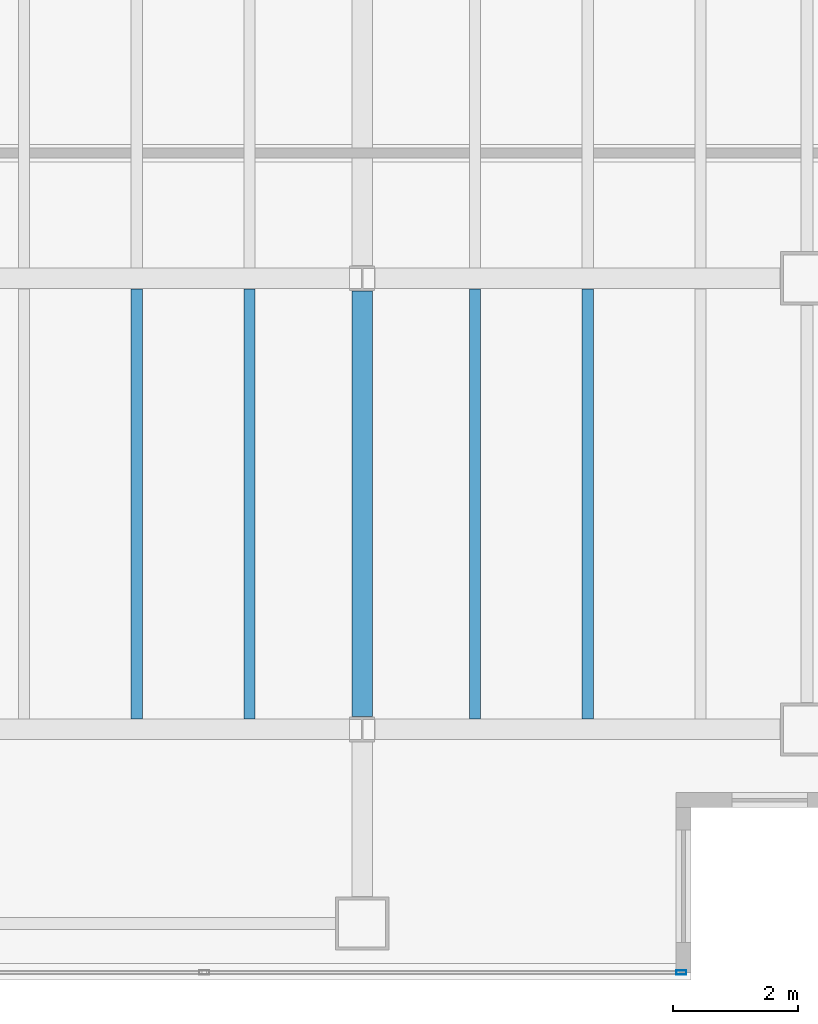
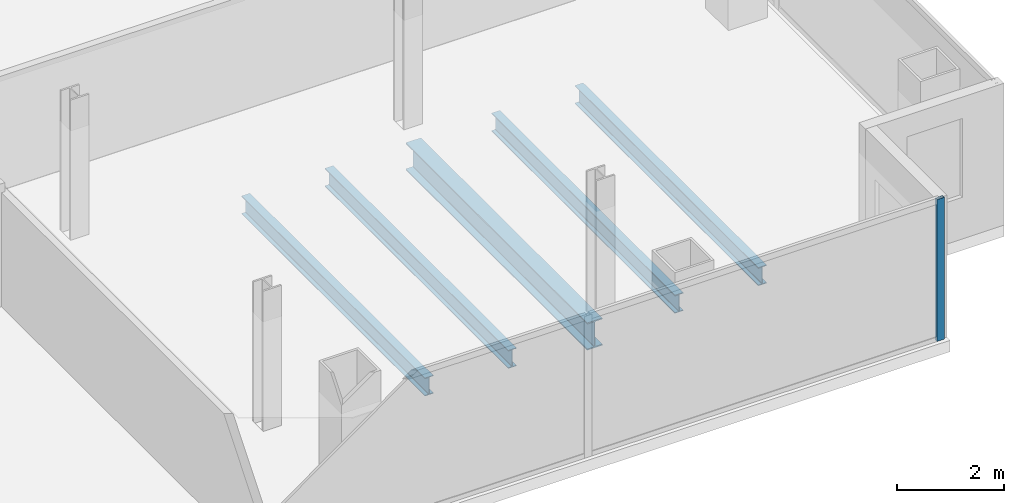
# One storey, part 11 of 23: 5 beams, 1 member, 1 element without a shape of its own.
"""IFC4 building model written with IfcOpenShell, lengths in metres."""

from ifc_helpers import new_model, si_unit, direction, frame, origin, origin_2d, place, context, subcontext, project, spatial, hollow_rectangle, i_section, extrude, material, material_profile, profile_set, type_object, element, aggregate, save


model = new_model("IFC4")

# Units and contexts
model_context = context("Model", 3, precision=1e-05, world=origin(), true_north=direction((0.0, 1.0)))
body_context = subcontext(model_context, "Body", "Model", "MODEL_VIEW")
ifc_project = project(units=[si_unit("LENGTHUNIT", "METRE"), si_unit("AREAUNIT", "SQUARE_METRE"), si_unit("VOLUMEUNIT", "CUBIC_METRE"), si_unit("PLANEANGLEUNIT", "RADIAN"), si_unit("MASSUNIT", "GRAM", prefix="KILO")], contexts=[model_context])

# Site, building, storey
site_placement = place(None, origin())
site = spatial("IfcSite", under=ifc_project, at=site_placement, CompositionType="ELEMENT")
building_placement = place(site_placement, origin())
building = spatial("IfcBuilding", under=site, at=building_placement, Name="Cobrela Telecom Tower", CompositionType="ELEMENT")
storey_placement = place(building_placement, frame((0.0, 0.0, 176.75)))
storey = spatial("IfcBuildingStorey", under=building, at=storey_placement, Name="L44", CompositionType="ELEMENT", Elevation=176.75)

# Beams
ifc_material_1 = material(Name="Steel ASTM A992 Grade 50", Category="steel")
ifc_material_profile_1 = material_profile(ifc_material_1, i_section(OverallWidth=0.327880859375, OverallDepth=0.6220703125, WebThickness=0.015380859375, FlangeThickness=0.0244140625, FilletRadius=0.014892578125, at=origin_2d()), Name="W24X131")
ifc_profile_set_1 = profile_set([ifc_material_profile_1], Name="Steel ASTM A992 Grade 50")
beam_type_1 = type_object("IfcBeamType", Name="BM-GIRD-06", PredefinedType="USERDEFINED", material=ifc_profile_set_1)
beam_placement = place(storey_placement, frame((36.0, 7.404541015625, -0.571044921875), z_axis=(0.0, 1.0, 0.0), x_axis=(-1.0, 0.0, 0.0)))
element("IfcBeam", 1, at=beam_placement, inside=storey, type_object=beam_type_1, Name="L44 Primary Girder Y40", ObjectType="GIRDER", PredefinedType="USERDEFINED", context=body_context, shape_type="SweptSolid", body=[
    extrude(i_section(OverallWidth=0.327880859375, OverallDepth=0.6220703125, WebThickness=0.015380859375, FlangeThickness=0.0244140625, FilletRadius=0.014892578125, at=origin_2d()), origin(), (0.0, 0.0, 1.0), 6.791015625),
])
ifc_material_profile_2 = material_profile(ifc_material_1, i_section(OverallWidth=0.179931640625, OverallDepth=0.4169921875, WebThickness=0.010986328125, FlangeThickness=0.01806640625, FilletRadius=0.011962890625, at=origin_2d()), Name="W16X57")
ifc_profile_set_2 = profile_set([ifc_material_profile_2], Name="Steel ASTM A992 Grade 50")
beam_type_2 = type_object("IfcBeamType", Name="BM-JOIST-04", PredefinedType="JOIST", material=ifc_profile_set_2)
for number, where, z_axis, x_axis, name in (
    (2, (32.39990234375, 7.368896484375, -0.468505859375), (0.0, 1.0, 0.0), (-1.0, 0.0, 0.0), "L44 Secondary Composite Floor Beam J21"),
    (3, (34.199951171875, 7.368896484375, -0.468505859375), (0.0, 1.0, 0.0), (-1.0, 0.0, 0.0), "L44 Secondary Composite Floor Beam J23"),
    (4, (37.800048828125, 7.368896484375, -0.468505859375), (0.0, 1.0, 0.0), (-1.0, 0.0, 0.0), "L44 Secondary Composite Floor Beam J25"),
    (5, (39.60009765625, 7.368896484375, -0.468505859375), (0.0, 1.0, 0.0), (-1.0, 0.0, 0.0), "L44 Secondary Composite Floor Beam J27"),
):
    element("IfcBeam", number, at=place(storey_placement, frame(where, z_axis=z_axis, x_axis=x_axis)), inside=storey, type_object=beam_type_2, Name=name, PredefinedType="JOIST", context=body_context, shape_type="SweptSolid", body=[
        extrude(i_section(OverallWidth=0.179931640625, OverallDepth=0.4169921875, WebThickness=0.010986328125, FlangeThickness=0.01806640625, FilletRadius=0.011962890625, at=origin_2d()), origin(), (0.0, 0.0, 1.0), 6.862060546875),
    ])

# Curtain wall, member
ifc_material_2 = material(Name="Anodized Bronze Aluminium 6063-T6", Category="aluminium")
curtain_wall_type = type_object("IfcCurtainWallType", Name="CW-SYS-OFF-LO", PredefinedType="USERDEFINED", material=ifc_material_2)
curtain_wall_placement = place(storey_placement, origin())
curtain_wall = element("IfcCurtainWall", 6, at=curtain_wall_placement, inside=storey, type_object=curtain_wall_type, Name="L44 Unitised Bronze Curtain Wall 17", ObjectType="UNITISED CURTAIN WALL", PredefinedType="USERDEFINED")
ifc_material_profile_3 = material_profile(ifc_material_2, hollow_rectangle(XDim=0.070068359375, YDim=0.159912109375, WallThickness=0.00390625, at=origin_2d()), Name="ALU 70x160x4")
ifc_profile_set_3 = profile_set([ifc_material_profile_3], Name="Anodized Bronze Aluminium 6063-T6")
member_type = type_object("IfcMemberType", Name="CW-SYS-OFF-LO-MUL", PredefinedType="MULLION", material=ifc_profile_set_3)
member_placement = place(storey_placement, frame((41.094970703125, 3.320068359375, 0.0), z_axis=(0.0, 0.0, 1.0), x_axis=(0.0, -1.0, 0.0)))
member = element("IfcMember", 7, at=member_placement, type_object=member_type, Name="CW-OFF-LO mullion 1", PredefinedType="MULLION", context=body_context, shape_type="SweptSolid", body=[
    extrude(hollow_rectangle(XDim=0.070068359375, YDim=0.159912109375, WallThickness=0.00390625, at=origin_2d()), origin(), (0.0, 0.0, 1.0), 3.239990234375),
])
aggregate(curtain_wall, [member])

save(model, "model.ifc")
